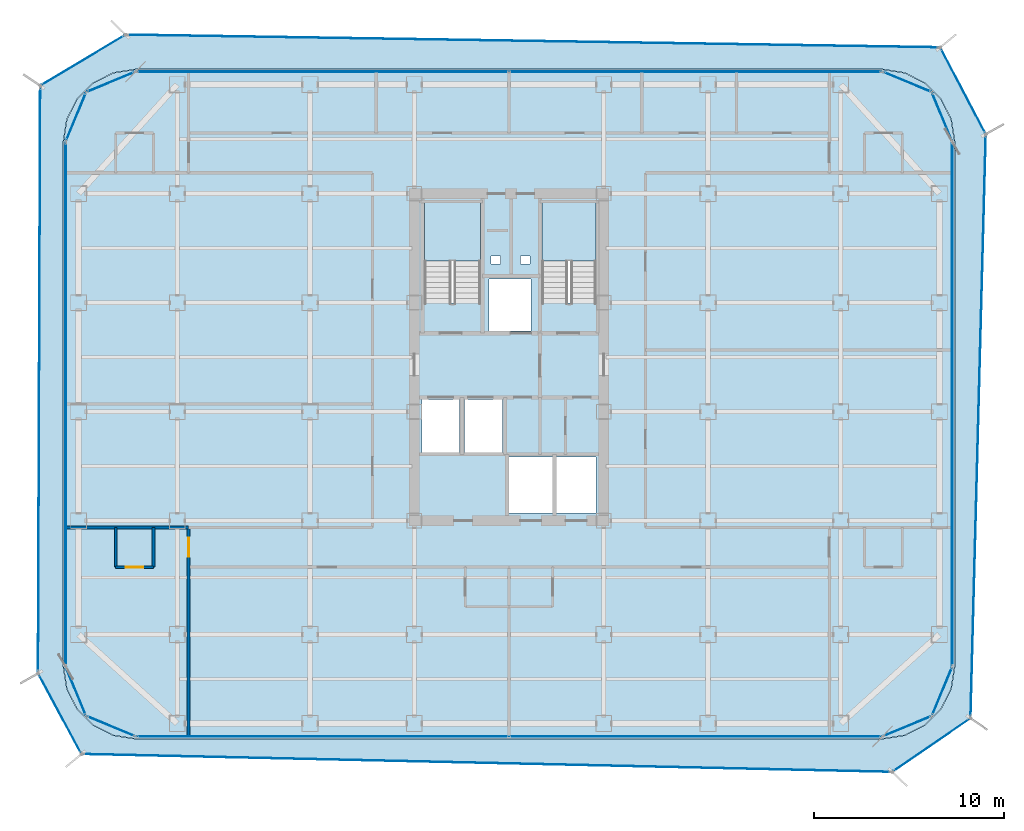
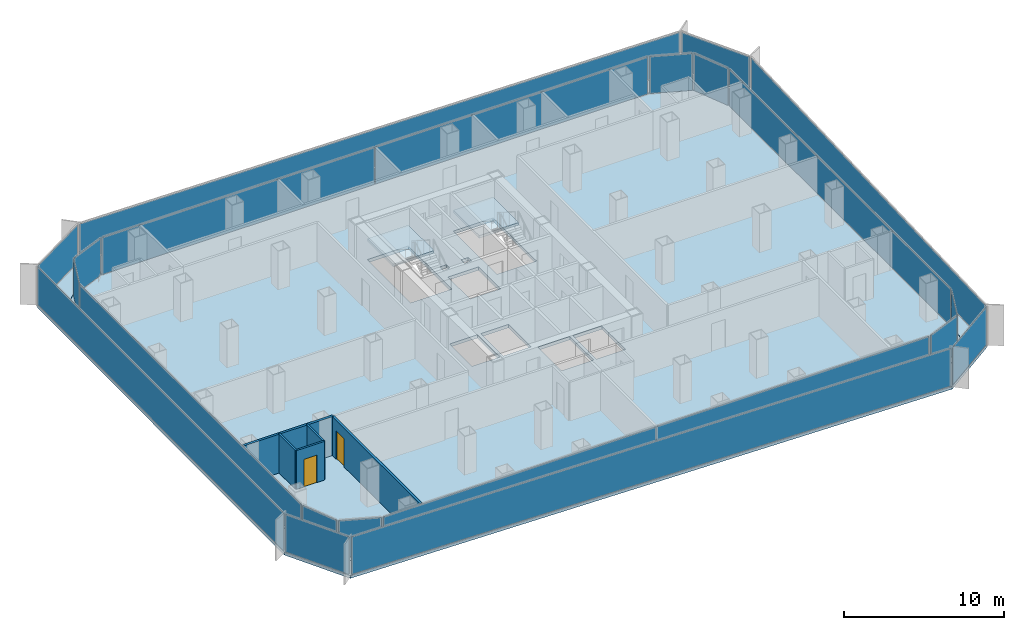
# One storey, part 15 of 21: 22 plates, 5 walls, 4 slabs, 2 doors, 2 openings, 22 elements without a shape of their own.
"""IFC4 building model written with IfcOpenShell, lengths in metres."""

from ifc_helpers import new_model, si_unit, direction, frame, frame_2d, origin, origin_2d, place, context, subcontext, project, spatial, polyline, rectangle, outline, extrude, source, transform, mapped, material, layer, layer_set, type_object, element, fill, aggregate, save


model = new_model("IFC4")

# Units and contexts
model_context = context("Model", 3, precision=1e-05, world=origin(), true_north=direction((0.0, 1.0)))
body_context = subcontext(model_context, "Body", "Model", "MODEL_VIEW")
ifc_project = project(units=[si_unit("LENGTHUNIT", "METRE"), si_unit("AREAUNIT", "SQUARE_METRE"), si_unit("VOLUMEUNIT", "CUBIC_METRE"), si_unit("PLANEANGLEUNIT", "RADIAN"), si_unit("MASSUNIT", "GRAM", prefix="KILO")], contexts=[model_context])

# Site, building, storey
site_placement = place(None, origin())
site = spatial("IfcSite", under=ifc_project, at=site_placement, CompositionType="ELEMENT")
building_placement = place(site_placement, origin())
building = spatial("IfcBuilding", under=site, at=building_placement, Name="Kolveth Station Tower", CompositionType="ELEMENT")
storey_placement = place(building_placement, frame((0.0, 0.0, 134.300048828125)))
storey = spatial("IfcBuildingStorey", under=building, at=storey_placement, Name="L37", CompositionType="ELEMENT", Elevation=134.300048828125)

# Slab
ifc_material_1 = material(Name="Concrete C40/50", Category="concrete")
ifc_layer_1 = layer(ifc_material_1, 0.25)
ifc_layer_set_1 = layer_set([ifc_layer_1], Name="Concrete C40/50")
slab_type_1 = type_object("IfcSlabType", Name="Slab_SF-250", PredefinedType="FLOOR", material=ifc_layer_set_1)
slab_1_placement = place(storey_placement, frame((0.0, 0.0, -0.25)))
element("IfcSlab", 1, at=slab_1_placement, inside=storey, type_object=slab_type_1, Name="L37 Tower Structural Floor Slab", PredefinedType="FLOOR", context=body_context, shape_type="SweptSolid", body=[
    extrude(outline(polyline([(43.199951171875, 0.0), (44.374267578125, 0.18603515625), (45.43359375, 0.7255859375), (46.2744140625, 1.56640625), (46.81396484375, 2.625732421875), (47.0, 3.800048828125), (47.0, 31.5), (46.81396484375, 32.67431640625), (46.2744140625, 33.733642578125), (45.43359375, 34.57421875), (44.374267578125, 35.114013671875), (43.199951171875, 35.300048828125), (3.800048828125, 35.300048828125), (2.625732421875, 35.114013671875), (1.56640625, 34.57421875), (0.7255859375, 33.733642578125), (0.18603515625, 32.67431640625), (0.0, 31.5), (0.0, 3.800048828125), (0.18603515625, 2.625732421875), (0.7255859375, 1.56640625), (1.56640625, 0.7255859375), (2.625732421875, 0.18603515625), (3.800048828125, 0.0), (43.199951171875, 0.0)]), holes=[polyline([(19.0400390625, 22.985107421875), (22.0, 22.985107421875), (22.0, 28.39990234375), (19.0400390625, 28.39990234375), (19.0400390625, 22.985107421875)]), polyline([(25.239990234375, 22.985107421875), (28.10009765625, 22.985107421875), (28.10009765625, 28.39990234375), (25.239990234375, 28.39990234375), (25.239990234375, 22.985107421875)]), polyline([(18.89990234375, 15.10009765625), (20.89990234375, 15.10009765625), (20.89990234375, 17.89990234375), (18.89990234375, 17.89990234375), (18.89990234375, 15.10009765625)]), polyline([(21.14990234375, 15.10009765625), (23.14990234375, 15.10009765625), (23.14990234375, 17.89990234375), (21.14990234375, 17.89990234375), (21.14990234375, 15.10009765625)]), polyline([(22.449951171875, 21.5), (24.64990234375, 21.5), (24.64990234375, 24.25), (22.449951171875, 24.25), (22.449951171875, 21.5)]), polyline([(23.5, 11.89990234375), (25.800048828125, 11.89990234375), (25.800048828125, 14.85009765625), (23.5, 14.85009765625), (23.5, 11.89990234375)]), polyline([(26.0, 11.89990234375), (28.10009765625, 11.89990234375), (28.10009765625, 14.85009765625), (26.0, 14.85009765625), (26.0, 11.89990234375)]), polyline([(22.550048828125, 25.050048828125), (23.050048828125, 25.050048828125), (23.050048828125, 25.449951171875), (22.550048828125, 25.449951171875), (22.550048828125, 25.050048828125)]), polyline([(24.10009765625, 25.050048828125), (24.60009765625, 25.050048828125), (24.60009765625, 25.449951171875), (24.10009765625, 25.449951171875), (24.10009765625, 25.050048828125)])]), origin(), (0.0, 0.0, 1.0), 0.25),
])

# Stair, slab
stair_type_1 = type_object("IfcStairType", Name="Stair_ST2", PredefinedType="HALF_TURN_STAIR", material=ifc_material_1)
stair_1_placement = place(storey_placement, origin())
stair_1 = element("IfcStair", 2, at=stair_1_placement, inside=storey, type_object=stair_type_1, Name="L37 Tower Exit Stair ST2", PredefinedType="HALF_TURN_STAIR")
ifc_layer_2 = layer(ifc_material_1, 0.18994140625)
ifc_layer_set_2 = layer_set([ifc_layer_2], Name="Concrete C40/50")
slab_type_2 = type_object("IfcSlabType", Name="Slab_SL-190", PredefinedType="LANDING", material=ifc_layer_set_2)
slab_2_placement = place(storey_placement, frame((0.0, 0.0, 1.39990234375)))
slab_2 = element("IfcSlab", 3, at=slab_2_placement, type_object=slab_type_2, Name="ST2 landing 1", PredefinedType="LANDING", context=body_context, shape_type="SweptSolid", body=[
    extrude(outline(polyline([(28.10009765625, 25.18994140625), (28.10009765625, 28.39990234375), (25.239990234375, 28.39990234375), (25.239990234375, 25.18994140625), (28.10009765625, 25.18994140625)])), origin(), (0.0, 0.0, 1.0), 0.199951171875),
])
aggregate(stair_1, [slab_2])

stair_type_2 = type_object("IfcStairType", Name="Stair_ST1", PredefinedType="HALF_TURN_STAIR", material=ifc_material_1)
stair_2_placement = place(storey_placement, origin())
stair_2 = element("IfcStair", 4, at=stair_2_placement, inside=storey, type_object=stair_type_2, Name="L37 Tower Exit Stair ST1", PredefinedType="HALF_TURN_STAIR")
ifc_layer_3 = layer(ifc_material_1, 0.205078125)
ifc_layer_set_3 = layer_set([ifc_layer_3], Name="Concrete C40/50")
slab_type_3 = type_object("IfcSlabType", Name="Slab_SL-205", PredefinedType="LANDING", material=ifc_layer_set_3)
slab_3_placement = place(storey_placement, frame((0.0, 0.0, 1.39990234375)))
slab_3 = element("IfcSlab", 5, at=slab_3_placement, type_object=slab_type_3, Name="ST1 landing 1", PredefinedType="LANDING", context=body_context, shape_type="SweptSolid", body=[
    extrude(outline(polyline([(22.0, 25.18994140625), (22.0, 28.39990234375), (19.0400390625, 28.39990234375), (19.0400390625, 25.18994140625), (22.0, 25.18994140625)])), origin(), (0.0, 0.0, 1.0), 0.199951171875),
])
aggregate(stair_2, [slab_3])

# Slab
ifc_layer_4 = layer(ifc_material_1, 0.2099609375)
ifc_layer_set_4 = layer_set([ifc_layer_4], Name="Concrete C40/50")
slab_type_4 = type_object("IfcSlabType", Name="Slab_ST-210", PredefinedType="FLOOR", material=ifc_layer_set_4)
slab_4_placement = place(storey_placement, frame((0.0, 0.0, -0.2099609375)))
element("IfcSlab", 6, at=slab_4_placement, inside=storey, type_object=slab_type_4, Name="L37 Double-Skin Cavity Structural Ledger Ring", PredefinedType="FLOOR", context=body_context, shape_type="SweptSolid", body=[
    extrude(outline(polyline([(0.95556640625, -0.808837890625), (-1.33740234375, 3.4521484375), (-1.22314453125, 34.43798828125), (3.27587890625, 37.131103515625), (46.247314453125, 36.46435546875), (48.64990234375, 31.887451171875), (47.84521484375, 1.07958984375), (43.71435546875, -1.75341796875), (0.95556640625, -0.808837890625)]), holes=[polyline([(43.202392578125, -0.014892578125), (44.376708984375, 0.171142578125), (44.381103515625, 0.172607421875), (45.4404296875, 0.71240234375), (45.444091796875, 0.715087890625), (46.284912109375, 1.555908203125), (46.28759765625, 1.5595703125), (46.827392578125, 2.618896484375), (46.828857421875, 2.623291015625), (47.014892578125, 3.797607421875), (47.014892578125, 3.800048828125), (47.014892578125, 31.5), (47.014892578125, 31.502197265625), (46.828857421875, 32.676513671875), (46.827392578125, 32.68115234375), (46.28759765625, 33.740478515625), (46.284912109375, 33.744140625), (45.444091796875, 34.5849609375), (45.4404296875, 34.587646484375), (44.381103515625, 35.12744140625), (44.376708984375, 35.12890625), (43.202392578125, 35.314697265625), (43.199951171875, 35.31494140625), (3.800048828125, 35.31494140625), (3.797607421875, 35.314697265625), (2.623291015625, 35.12890625), (2.618896484375, 35.12744140625), (1.5595703125, 34.587646484375), (1.555908203125, 34.5849609375), (0.715087890625, 33.744140625), (0.71240234375, 33.740478515625), (0.172607421875, 32.68115234375), (0.171142578125, 32.676513671875), (-0.014892578125, 31.502197265625), (-0.014892578125, 31.5), (-0.014892578125, 3.800048828125), (-0.014892578125, 3.797607421875), (0.171142578125, 2.623291015625), (0.172607421875, 2.618896484375), (0.71240234375, 1.5595703125), (0.715087890625, 1.555908203125), (1.555908203125, 0.715087890625), (1.5595703125, 0.71240234375), (2.618896484375, 0.172607421875), (2.623291015625, 0.171142578125), (3.797607421875, -0.014892578125), (3.800048828125, -0.014892578125), (43.199951171875, -0.014892578125), (43.202392578125, -0.014892578125)])]), origin(), (0.0, 0.0, 1.0), 0.2099609375),
])

# Curtain wall, plate
ifc_material_2 = material(Name="Aluminium 6063-T6 and low-E dark glass", Category="aluminium")
ifc_layer_5 = layer(ifc_material_2, 0.18994140625)
ifc_layer_set_5 = layer_set([ifc_layer_5], Name="Aluminium 6063-T6 and low-E dark glass")
curtain_wall_type_1 = type_object("IfcCurtainWallType", Name="CurtainWall_CW-Z2", PredefinedType="NOTDEFINED", material=ifc_layer_set_5)
curtain_wall_1_placement = place(storey_placement, origin())
curtain_wall_1 = element("IfcCurtainWall", 7, at=curtain_wall_1_placement, inside=storey, type_object=curtain_wall_type_1, Name="L37 Inner Thermal Curtain Wall 1", PredefinedType="NOTDEFINED")
ifc_material_3 = material(Name="Architectural low-E dark glass", Category="glass")
ifc_layer_6 = layer(ifc_material_3, 0.0380859375)
ifc_layer_set_6 = layer_set([ifc_layer_6], Name="Architectural low-E dark glass")
plate_type_1 = type_object("IfcPlateType", Name="Panel_GL2", PredefinedType="CURTAIN_PANEL", material=ifc_layer_set_6)
shared_shape_1 = source(origin(), body_context, "Body", "SweptSolid", [
    extrude(rectangle(XDim=2.670654296875, YDim=0.0380859375, at=origin_2d()), origin(), (0.0, 0.0, 1.0), 2.803955078125),
])
plate_1_placement = place(storey_placement, frame((44.501220703125, 0.658935546875, 0.07275390625), z_axis=(0.0, 0.0, 1.0), x_axis=(0.923887883787, 0.38266326998, 0.0)))
plate_1 = element("IfcPlate", 8, at=plate_1_placement, type_object=plate_type_1, Name="CW-Z2 panel 1.1", PredefinedType="CURTAIN_PANEL", context=body_context, shape_type="MappedRepresentation", body=[
    mapped(shared_shape_1, transform((0.0, 0.0, 0.0), x_axis=(1.0, 0.0, 0.0), y_axis=(0.0, 1.0, 0.0), z_axis=(0.0, 0.0, 1.0), scale=1.0)),
])
aggregate(curtain_wall_1, [plate_1])

curtain_wall_2_placement = place(storey_placement, origin())
curtain_wall_2 = element("IfcCurtainWall", 9, at=curtain_wall_2_placement, inside=storey, type_object=curtain_wall_type_1, Name="L37 Inner Thermal Curtain Wall 2", PredefinedType="NOTDEFINED")
plate_2_placement = place(storey_placement, frame((46.341064453125, 2.498779296875, 0.07275390625), z_axis=(0.0, 0.0, 1.0), x_axis=(0.38266326998, 0.923887883787, 0.0)))
plate_2 = element("IfcPlate", 10, at=plate_2_placement, type_object=plate_type_1, Name="CW-Z2 panel 1.1", PredefinedType="CURTAIN_PANEL", context=body_context, shape_type="MappedRepresentation", body=[
    mapped(shared_shape_1, transform((0.0, 0.0, 0.0), x_axis=(1.0, 0.0, 0.0), y_axis=(0.0, 1.0, 0.0), z_axis=(0.0, 0.0, 1.0), scale=1.0)),
])
aggregate(curtain_wall_2, [plate_2])

curtain_wall_3_placement = place(storey_placement, origin())
curtain_wall_3 = element("IfcCurtainWall", 11, at=curtain_wall_3_placement, inside=storey, type_object=curtain_wall_type_1, Name="L37 Inner Thermal Curtain Wall 4", PredefinedType="NOTDEFINED")
plate_3_placement = place(storey_placement, frame((46.341064453125, 32.801025390625, 0.07275390625), z_axis=(0.0, 0.0, 1.0), x_axis=(-0.38266326998, 0.923887883787, 0.0)))
plate_3 = element("IfcPlate", 12, at=plate_3_placement, type_object=plate_type_1, Name="CW-Z2 panel 1.1", PredefinedType="CURTAIN_PANEL", context=body_context, shape_type="MappedRepresentation", body=[
    mapped(shared_shape_1, transform((0.0, 0.0, 0.0), x_axis=(1.0, 0.0, 0.0), y_axis=(0.0, 1.0, 0.0), z_axis=(0.0, 0.0, 1.0), scale=1.0)),
])
aggregate(curtain_wall_3, [plate_3])

curtain_wall_4_placement = place(storey_placement, origin())
curtain_wall_4 = element("IfcCurtainWall", 13, at=curtain_wall_4_placement, inside=storey, type_object=curtain_wall_type_1, Name="L37 Inner Thermal Curtain Wall 5", PredefinedType="NOTDEFINED")
plate_4_placement = place(storey_placement, frame((44.501220703125, 34.64111328125, 0.07275390625), z_axis=(0.0, 0.0, 1.0), x_axis=(-0.923887883787, 0.38266326998, 0.0)))
plate_4 = element("IfcPlate", 14, at=plate_4_placement, type_object=plate_type_1, Name="CW-Z2 panel 1.1", PredefinedType="CURTAIN_PANEL", context=body_context, shape_type="MappedRepresentation", body=[
    mapped(shared_shape_1, transform((0.0, 0.0, 0.0), x_axis=(1.0, 0.0, 0.0), y_axis=(0.0, 1.0, 0.0), z_axis=(0.0, 0.0, 1.0), scale=1.0)),
])
aggregate(curtain_wall_4, [plate_4])

curtain_wall_5_placement = place(storey_placement, origin())
curtain_wall_5 = element("IfcCurtainWall", 15, at=curtain_wall_5_placement, inside=storey, type_object=curtain_wall_type_1, Name="L37 Inner Thermal Curtain Wall 7", PredefinedType="NOTDEFINED")
plate_5_placement = place(storey_placement, frame((2.498779296875, 34.64111328125, 0.07275390625), z_axis=(0.0, 0.0, 1.0), x_axis=(-0.923887883787, -0.38266326998, 0.0)))
plate_5 = element("IfcPlate", 16, at=plate_5_placement, type_object=plate_type_1, Name="CW-Z2 panel 1.1", PredefinedType="CURTAIN_PANEL", context=body_context, shape_type="MappedRepresentation", body=[
    mapped(shared_shape_1, transform((0.0, 0.0, 0.0), x_axis=(1.0, 0.0, 0.0), y_axis=(0.0, 1.0, 0.0), z_axis=(0.0, 0.0, 1.0), scale=1.0)),
])
aggregate(curtain_wall_5, [plate_5])

curtain_wall_6_placement = place(storey_placement, origin())
curtain_wall_6 = element("IfcCurtainWall", 17, at=curtain_wall_6_placement, inside=storey, type_object=curtain_wall_type_1, Name="L37 Inner Thermal Curtain Wall 8", PredefinedType="NOTDEFINED")
plate_6_placement = place(storey_placement, frame((0.658935546875, 32.801025390625, 0.07275390625), z_axis=(0.0, 0.0, 1.0), x_axis=(-0.38266326998, -0.923887883787, 0.0)))
plate_6 = element("IfcPlate", 18, at=plate_6_placement, type_object=plate_type_1, Name="CW-Z2 panel 1.1", PredefinedType="CURTAIN_PANEL", context=body_context, shape_type="MappedRepresentation", body=[
    mapped(shared_shape_1, transform((0.0, 0.0, 0.0), x_axis=(1.0, 0.0, 0.0), y_axis=(0.0, 1.0, 0.0), z_axis=(0.0, 0.0, 1.0), scale=1.0)),
])
aggregate(curtain_wall_6, [plate_6])

curtain_wall_7_placement = place(storey_placement, origin())
curtain_wall_7 = element("IfcCurtainWall", 19, at=curtain_wall_7_placement, inside=storey, type_object=curtain_wall_type_1, Name="L37 Inner Thermal Curtain Wall 10", PredefinedType="NOTDEFINED")
plate_7_placement = place(storey_placement, frame((0.658935546875, 2.498779296875, 0.07275390625), z_axis=(0.0, 0.0, 1.0), x_axis=(0.38266326998, -0.923887883787, 0.0)))
plate_7 = element("IfcPlate", 20, at=plate_7_placement, type_object=plate_type_1, Name="CW-Z2 panel 1.1", PredefinedType="CURTAIN_PANEL", context=body_context, shape_type="MappedRepresentation", body=[
    mapped(shared_shape_1, transform((0.0, 0.0, 0.0), x_axis=(1.0, 0.0, 0.0), y_axis=(0.0, 1.0, 0.0), z_axis=(0.0, 0.0, 1.0), scale=1.0)),
])
aggregate(curtain_wall_7, [plate_7])

curtain_wall_8_placement = place(storey_placement, origin())
curtain_wall_8 = element("IfcCurtainWall", 21, at=curtain_wall_8_placement, inside=storey, type_object=curtain_wall_type_1, Name="L37 Inner Thermal Curtain Wall 11", PredefinedType="NOTDEFINED")
plate_8_placement = place(storey_placement, frame((2.498779296875, 0.658935546875, 0.07275390625), z_axis=(0.0, 0.0, 1.0), x_axis=(0.923887883787, -0.38266326998, 0.0)))
plate_8 = element("IfcPlate", 22, at=plate_8_placement, type_object=plate_type_1, Name="CW-Z2 panel 1.1", PredefinedType="CURTAIN_PANEL", context=body_context, shape_type="MappedRepresentation", body=[
    mapped(shared_shape_1, transform((0.0, 0.0, 0.0), x_axis=(1.0, 0.0, 0.0), y_axis=(0.0, 1.0, 0.0), z_axis=(0.0, 0.0, 1.0), scale=1.0)),
])
aggregate(curtain_wall_8, [plate_8])

curtain_wall_9_placement = place(storey_placement, origin())
curtain_wall_9 = element("IfcCurtainWall", 23, at=curtain_wall_9_placement, inside=storey, type_object=curtain_wall_type_1, Name="L37 Inner Thermal Curtain Wall 3", PredefinedType="NOTDEFINED")
shared_shape_2 = source(origin(), body_context, "Body", "SweptSolid", [
    extrude(rectangle(XDim=27.553955078125, YDim=0.0380859375, at=origin_2d()), origin(), (0.0, 0.0, 1.0), 2.803955078125),
])
plate_9_placement = place(storey_placement, frame((46.8798828125, 17.64990234375, 0.07275390625), z_axis=(0.0, 0.0, 1.0), x_axis=(0.0, 1.0, 0.0)))
plate_9 = element("IfcPlate", 24, at=plate_9_placement, type_object=plate_type_1, Name="CW-Z2 panel 1.1", PredefinedType="CURTAIN_PANEL", context=body_context, shape_type="MappedRepresentation", body=[
    mapped(shared_shape_2, transform((0.0, 0.0, 0.0), x_axis=(1.0, 0.0, 0.0), y_axis=(0.0, 1.0, 0.0), z_axis=(0.0, 0.0, 1.0), scale=1.0)),
])
aggregate(curtain_wall_9, [plate_9])

curtain_wall_10_placement = place(storey_placement, origin())
curtain_wall_10 = element("IfcCurtainWall", 25, at=curtain_wall_10_placement, inside=storey, type_object=curtain_wall_type_1, Name="L37 Inner Thermal Curtain Wall 9", PredefinedType="NOTDEFINED")
plate_10_placement = place(storey_placement, frame((0.1201171875, 17.64990234375, 0.07275390625), z_axis=(0.0, 0.0, 1.0), x_axis=(0.0, -1.0, 0.0)))
plate_10 = element("IfcPlate", 26, at=plate_10_placement, type_object=plate_type_1, Name="CW-Z2 panel 1.1", PredefinedType="CURTAIN_PANEL", context=body_context, shape_type="MappedRepresentation", body=[
    mapped(shared_shape_2, transform((0.0, 0.0, 0.0), x_axis=(1.0, 0.0, 0.0), y_axis=(0.0, 1.0, 0.0), z_axis=(0.0, 0.0, 1.0), scale=1.0)),
])
aggregate(curtain_wall_10, [plate_10])

# Curtain wall, plates
curtain_wall_11_placement = place(storey_placement, origin())
curtain_wall_11 = element("IfcCurtainWall", 27, at=curtain_wall_11_placement, inside=storey, type_object=curtain_wall_type_1, Name="L37 Inner Thermal Curtain Wall 6", PredefinedType="NOTDEFINED")
shared_shape_3 = source(origin(), body_context, "Body", "SweptSolid", [
    extrude(rectangle(XDim=19.593994140625, YDim=0.0380859375, at=origin_2d()), origin(), (0.0, 0.0, 1.0), 2.803955078125),
])
plate_11_placement = place(storey_placement, frame((33.330078125, 35.179931640625, 0.07275390625), z_axis=(0.0, 0.0, 1.0), x_axis=(-1.0, 0.0, 0.0)))
plate_11 = element("IfcPlate", 28, at=plate_11_placement, type_object=plate_type_1, Name="CW-Z2 panel 1.1", PredefinedType="CURTAIN_PANEL", context=body_context, shape_type="MappedRepresentation", body=[
    mapped(shared_shape_3, transform((0.0, 0.0, 0.0), x_axis=(1.0, 0.0, 0.0), y_axis=(0.0, 1.0, 0.0), z_axis=(0.0, 0.0, 1.0), scale=1.0)),
])
plate_12_placement = place(storey_placement, frame((13.669921875, 35.179931640625, 0.07275390625), z_axis=(0.0, 0.0, 1.0), x_axis=(-1.0, 0.0, 0.0)))
plate_12 = element("IfcPlate", 29, at=plate_12_placement, type_object=plate_type_1, Name="CW-Z2 panel 2.1", PredefinedType="CURTAIN_PANEL", context=body_context, shape_type="MappedRepresentation", body=[
    mapped(shared_shape_3, transform((0.0, 0.0, 0.0), x_axis=(1.0, 0.0, 0.0), y_axis=(0.0, 1.0, 0.0), z_axis=(0.0, 0.0, 1.0), scale=1.0)),
])
aggregate(curtain_wall_11, [plate_11, plate_12])

curtain_wall_12_placement = place(storey_placement, origin())
curtain_wall_12 = element("IfcCurtainWall", 30, at=curtain_wall_12_placement, inside=storey, type_object=curtain_wall_type_1, Name="L37 Inner Thermal Curtain Wall 12", PredefinedType="NOTDEFINED")
plate_13_placement = place(storey_placement, frame((13.669921875, 0.1201171875, 0.07275390625), z_axis=(0.0, 0.0, 1.0), x_axis=(1.0, 0.0, 0.0)))
plate_13 = element("IfcPlate", 31, at=plate_13_placement, type_object=plate_type_1, Name="CW-Z2 panel 1.1", PredefinedType="CURTAIN_PANEL", context=body_context, shape_type="MappedRepresentation", body=[
    mapped(shared_shape_3, transform((0.0, 0.0, 0.0), x_axis=(1.0, 0.0, 0.0), y_axis=(0.0, 1.0, 0.0), z_axis=(0.0, 0.0, 1.0), scale=1.0)),
])
plate_14_placement = place(storey_placement, frame((33.330078125, 0.1201171875, 0.07275390625), z_axis=(0.0, 0.0, 1.0), x_axis=(1.0, 0.0, 0.0)))
plate_14 = element("IfcPlate", 32, at=plate_14_placement, type_object=plate_type_1, Name="CW-Z2 panel 2.1", PredefinedType="CURTAIN_PANEL", context=body_context, shape_type="MappedRepresentation", body=[
    mapped(shared_shape_3, transform((0.0, 0.0, 0.0), x_axis=(1.0, 0.0, 0.0), y_axis=(0.0, 1.0, 0.0), z_axis=(0.0, 0.0, 1.0), scale=1.0)),
])
aggregate(curtain_wall_12, [plate_13, plate_14])

# Curtain wall, plate
ifc_material_4 = material(Name="Black anodized aluminium 6063-T6 and dark solar glass", Category="aluminium")
ifc_layer_7 = layer(ifc_material_4, 0.159912109375)
ifc_layer_set_7 = layer_set([ifc_layer_7], Name="Black anodized aluminium 6063-T6 and dark solar glass")
curtain_wall_type_2 = type_object("IfcCurtainWallType", Name="OUTER SKIN CW-OS", PredefinedType="NOTDEFINED", material=ifc_layer_set_7)
curtain_wall_13_placement = place(storey_placement, origin())
curtain_wall_13 = element("IfcCurtainWall", 33, at=curtain_wall_13_placement, inside=storey, type_object=curtain_wall_type_2, Name="L37 Outer Ventilated Skin Curtain Wall 5", PredefinedType="NOTDEFINED")
ifc_layer_8 = layer(ifc_material_3, 0.028076171875)
ifc_layer_set_8 = layer_set([ifc_layer_8], Name="Architectural low-E dark glass")
plate_type_2 = type_object("IfcPlateType", Name="Panel_GL-OS", PredefinedType="CURTAIN_PANEL", material=ifc_layer_set_8)
shared_shape_4 = source(origin(), body_context, "Body", "SweptSolid", [
    extrude(rectangle(XDim=5.077392578125, YDim=0.028076171875, at=origin_2d()), origin(), (0.0, 0.0, 1.0), 2.843994140625),
])
plate_15_placement = place(storey_placement, frame((1.0263671875, 35.784423828125, 0.07275390625), z_axis=(0.0, 0.0, 1.0), x_axis=(-0.858030948061, -0.513597986922, 0.0)))
plate_15 = element("IfcPlate", 34, at=plate_15_placement, type_object=plate_type_2, Name="CW-OS panel 1.1", PredefinedType="CURTAIN_PANEL", context=body_context, shape_type="MappedRepresentation", body=[
    mapped(shared_shape_4, transform((0.0, 0.0, 0.0), x_axis=(1.0, 0.0, 0.0), y_axis=(0.0, 1.0, 0.0), z_axis=(0.0, 0.0, 1.0), scale=1.0)),
])
aggregate(curtain_wall_13, [plate_15])

curtain_wall_14_placement = place(storey_placement, origin())
curtain_wall_14 = element("IfcCurtainWall", 35, at=curtain_wall_14_placement, inside=storey, type_object=curtain_wall_type_2, Name="L37 Outer Ventilated Skin Curtain Wall 1", PredefinedType="NOTDEFINED")
shared_shape_5 = source(origin(), body_context, "Body", "SweptSolid", [
    extrude(rectangle(XDim=4.8427734375, YDim=0.028076171875, at=origin_2d()), origin(), (0.0, 0.0, 1.0), 2.843994140625),
])
plate_16_placement = place(storey_placement, frame((45.77978515625, -0.3369140625, 0.07275390625), z_axis=(0.0, 0.0, 1.0), x_axis=(0.824680428132, 0.565598966987, 0.0)))
plate_16 = element("IfcPlate", 36, at=plate_16_placement, type_object=plate_type_2, Name="CW-OS panel 1.1", PredefinedType="CURTAIN_PANEL", context=body_context, shape_type="MappedRepresentation", body=[
    mapped(shared_shape_5, transform((0.0, 0.0, 0.0), x_axis=(1.0, 0.0, 0.0), y_axis=(0.0, 1.0, 0.0), z_axis=(0.0, 0.0, 1.0), scale=1.0)),
])
aggregate(curtain_wall_14, [plate_16])

curtain_wall_15_placement = place(storey_placement, origin())
curtain_wall_15 = element("IfcCurtainWall", 37, at=curtain_wall_15_placement, inside=storey, type_object=curtain_wall_type_2, Name="L37 Outer Ventilated Skin Curtain Wall 2", PredefinedType="NOTDEFINED")
shared_shape_6 = source(origin(), body_context, "Body", "SweptSolid", [
    extrude(rectangle(XDim=30.652099609375, YDim=0.028076171875, at=origin_2d()), origin(), (0.0, 0.0, 1.0), 2.843994140625),
])
plate_17_placement = place(storey_placement, frame((48.24755859375, 16.483642578125, 0.07275390625), z_axis=(0.0, 0.0, 1.0), x_axis=(0.026117672817, 0.9996588754, 0.0)))
plate_17 = element("IfcPlate", 38, at=plate_17_placement, type_object=plate_type_2, Name="CW-OS panel 1.1", PredefinedType="CURTAIN_PANEL", context=body_context, shape_type="MappedRepresentation", body=[
    mapped(shared_shape_6, transform((0.0, 0.0, 0.0), x_axis=(1.0, 0.0, 0.0), y_axis=(0.0, 1.0, 0.0), z_axis=(0.0, 0.0, 1.0), scale=1.0)),
])
aggregate(curtain_wall_15, [plate_17])

curtain_wall_16_placement = place(storey_placement, origin())
curtain_wall_16 = element("IfcCurtainWall", 39, at=curtain_wall_16_placement, inside=storey, type_object=curtain_wall_type_2, Name="L37 Outer Ventilated Skin Curtain Wall 3", PredefinedType="NOTDEFINED")
shared_shape_7 = source(origin(), body_context, "Body", "SweptSolid", [
    extrude(rectangle(XDim=5.003173828125, YDim=0.028076171875, at=origin_2d()), origin(), (0.0, 0.0, 1.0), 2.843994140625),
])
plate_18_placement = place(storey_placement, frame((47.44873046875, 34.17578125, 0.07275390625), z_axis=(0.0, 0.0, 1.0), x_axis=(-0.464807738651, 0.885411636523, 0.0)))
plate_18 = element("IfcPlate", 40, at=plate_18_placement, type_object=plate_type_2, Name="CW-OS panel 1.1", PredefinedType="CURTAIN_PANEL", context=body_context, shape_type="MappedRepresentation", body=[
    mapped(shared_shape_7, transform((0.0, 0.0, 0.0), x_axis=(1.0, 0.0, 0.0), y_axis=(0.0, 1.0, 0.0), z_axis=(0.0, 0.0, 1.0), scale=1.0)),
])
aggregate(curtain_wall_16, [plate_18])

curtain_wall_17_placement = place(storey_placement, origin())
curtain_wall_17 = element("IfcCurtainWall", 41, at=curtain_wall_17_placement, inside=storey, type_object=curtain_wall_type_2, Name="L37 Outer Ventilated Skin Curtain Wall 4", PredefinedType="NOTDEFINED")
shared_shape_8 = source(origin(), body_context, "Body", "SweptSolid", [
    extrude(rectangle(XDim=42.810546875, YDim=0.028076171875, at=origin_2d()), origin(), (0.0, 0.0, 1.0), 2.843994140625),
])
plate_19_placement = place(storey_placement, frame((24.76171875, 36.797607421875, 0.07275390625), z_axis=(0.0, 0.0, 1.0), x_axis=(-0.999879664571, 0.015513103427, 0.0)))
plate_19 = element("IfcPlate", 42, at=plate_19_placement, type_object=plate_type_2, Name="CW-OS panel 1.1", PredefinedType="CURTAIN_PANEL", context=body_context, shape_type="MappedRepresentation", body=[
    mapped(shared_shape_8, transform((0.0, 0.0, 0.0), x_axis=(1.0, 0.0, 0.0), y_axis=(0.0, 1.0, 0.0), z_axis=(0.0, 0.0, 1.0), scale=1.0)),
])
aggregate(curtain_wall_17, [plate_19])

curtain_wall_18_placement = place(storey_placement, origin())
curtain_wall_18 = element("IfcCurtainWall", 43, at=curtain_wall_18_placement, inside=storey, type_object=curtain_wall_type_2, Name="L37 Outer Ventilated Skin Curtain Wall 6", PredefinedType="NOTDEFINED")
shared_shape_9 = source(origin(), body_context, "Body", "SweptSolid", [
    extrude(rectangle(XDim=30.820068359375, YDim=0.028076171875, at=origin_2d()), origin(), (0.0, 0.0, 1.0), 2.843994140625),
])
plate_20_placement = place(storey_placement, frame((-1.2802734375, 18.945068359375, 0.07275390625), z_axis=(0.0, 0.0, 1.0), x_axis=(-0.003685522263, -0.99999320844, 0.0)))
plate_20 = element("IfcPlate", 44, at=plate_20_placement, type_object=plate_type_2, Name="CW-OS panel 1.1", PredefinedType="CURTAIN_PANEL", context=body_context, shape_type="MappedRepresentation", body=[
    mapped(shared_shape_9, transform((0.0, 0.0, 0.0), x_axis=(1.0, 0.0, 0.0), y_axis=(0.0, 1.0, 0.0), z_axis=(0.0, 0.0, 1.0), scale=1.0)),
])
aggregate(curtain_wall_18, [plate_20])

curtain_wall_19_placement = place(storey_placement, origin())
curtain_wall_19 = element("IfcCurtainWall", 45, at=curtain_wall_19_placement, inside=storey, type_object=curtain_wall_type_2, Name="L37 Outer Ventilated Skin Curtain Wall 7", PredefinedType="NOTDEFINED")
shared_shape_10 = source(origin(), body_context, "Body", "SweptSolid", [
    extrude(rectangle(XDim=4.672607421875, YDim=0.028076171875, at=origin_2d()), origin(), (0.0, 0.0, 1.0), 2.843994140625),
])
plate_21_placement = place(storey_placement, frame((-0.19091796875, 1.321533203125, 0.07275390625), z_axis=(0.0, 0.0, 1.0), x_axis=(0.473854549104, -0.880603126439, 0.0)))
plate_21 = element("IfcPlate", 46, at=plate_21_placement, type_object=plate_type_2, Name="CW-OS panel 1.1", PredefinedType="CURTAIN_PANEL", context=body_context, shape_type="MappedRepresentation", body=[
    mapped(shared_shape_10, transform((0.0, 0.0, 0.0), x_axis=(1.0, 0.0, 0.0), y_axis=(0.0, 1.0, 0.0), z_axis=(0.0, 0.0, 1.0), scale=1.0)),
])
aggregate(curtain_wall_19, [plate_21])

curtain_wall_20_placement = place(storey_placement, origin())
curtain_wall_20 = element("IfcCurtainWall", 47, at=curtain_wall_20_placement, inside=storey, type_object=curtain_wall_type_2, Name="L37 Outer Ventilated Skin Curtain Wall 8", PredefinedType="NOTDEFINED")
shared_shape_11 = source(origin(), body_context, "Body", "SweptSolid", [
    extrude(rectangle(XDim=42.603271484375, YDim=0.028076171875, at=origin_2d()), origin(), (0.0, 0.0, 1.0), 2.843994140625),
])
plate_22_placement = place(storey_placement, frame((22.3349609375, -1.281005859375, 0.07275390625), z_axis=(0.0, 0.0, 1.0), x_axis=(0.999756127972, -0.022083581739, 0.0)))
plate_22 = element("IfcPlate", 48, at=plate_22_placement, type_object=plate_type_2, Name="CW-OS panel 1.1", PredefinedType="CURTAIN_PANEL", context=body_context, shape_type="MappedRepresentation", body=[
    mapped(shared_shape_11, transform((0.0, 0.0, 0.0), x_axis=(1.0, 0.0, 0.0), y_axis=(0.0, 1.0, 0.0), z_axis=(0.0, 0.0, 1.0), scale=1.0)),
])
aggregate(curtain_wall_20, [plate_22])

# Walls
ifc_material_5 = material(Name="Moisture-resistant gypsum partition")
ifc_layer_9 = layer(ifc_material_5, 0.135009765625)
ifc_layer_set_9 = layer_set([ifc_layer_9], Name="Moisture-resistant gypsum partition")
wall_type_1 = type_object("IfcWallType", Name="Wall_IW-135", PredefinedType="PARTITIONING", material=ifc_layer_set_9)
for number, where, z_axis, x_axis, name in (
    (49, (2.75, 9.050048828125, 0.0), (0.0, 0.0, 1.0), (0.0, 1.0, 0.0), "L37 Partition Wall WL-L37-WS1-BV1"),
    (50, (4.75, 9.050048828125, 0.0), (0.0, 0.0, 1.0), (0.0, 1.0, 0.0), "L37 Partition Wall WL-L37-WS1-BV2"),
):
    element("IfcWall", number, at=place(storey_placement, frame(where, z_axis=z_axis, x_axis=x_axis)), inside=storey, type_object=wall_type_1, Name=name, PredefinedType="PARTITIONING", context=body_context, shape_type="SweptSolid", body=[
        extrude(rectangle(XDim=2.099853515625, YDim=0.135009765625, at=frame_2d((1.0498046875, 0.0))), origin(), (0.0, 0.0, 1.0), 2.949951171875),
    ])

# Wall, opening, door
wall_1_placement = place(storey_placement, frame((2.75, 9.050048828125, 0.0), z_axis=(0.0, 0.0, 1.0), x_axis=(1.0, 0.0, 0.0)))
wall_1 = element("IfcWall", 51, at=wall_1_placement, inside=storey, type_object=wall_type_1, Name="L37 Partition Wall WL-L37-WS1-BH", PredefinedType="PARTITIONING", context=body_context, shape_type="SweptSolid", body=[
    extrude(rectangle(XDim=2.0, YDim=0.135009765625, at=frame_2d((1.0, 0.0))), origin(), (0.0, 0.0, 1.0), 2.949951171875),
])
opening_1_placement = place(wall_1_placement, frame((0.5400390625, 0.0, 0.0)))
opening_1 = element("IfcOpeningElement", 52, at=opening_1_placement, cuts=wall_1, Name="Opening ID2", PredefinedType="OPENING", context=body_context, shape_type="SweptSolid", body=[
    extrude(rectangle(XDim=0.919921875, YDim=2.10009765625, at=frame_2d((0.4599609375, 1.050048828125))), frame((0.0, 0.077392578125, 0.0), z_axis=(0.0, -1.0, 0.0), x_axis=(1.0, 0.0, 0.0)), (0.0, 0.0, 1.0), 0.155029296875),
])
ifc_material_6 = material(Name="Moisture-resistant hardwood leaf", Category="wood")
door_type_1 = type_object("IfcDoorType", Name="Door_ID2", OperationType="NOTDEFINED", PredefinedType="DOOR", material=ifc_material_6)
door_1_placement = place(opening_1_placement, origin())
door_1 = element("IfcDoor", 53, at=door_1_placement, inside=storey, type_object=door_type_1, Name="L37 Hotel Corner Suite WS1 En-Suite Door", OperationType="SINGLE_SWING_RIGHT", OverallHeight=2.10009765625, OverallWidth=0.919921875, PredefinedType="DOOR", context=body_context, shape_type="SweptSolid", body=[
    extrude(rectangle(XDim=0.919921875, YDim=2.10009765625, at=frame_2d((0.4599609375, 1.050048828125))), frame((0.0, 0.02490234375, 0.0), z_axis=(0.0, -1.0, 0.0), x_axis=(1.0, 0.0, 0.0)), (0.0, 0.0, 1.0), 0.050048828125),
])
fill(opening_1, door_1)

ifc_material_7 = material(Name="Acoustic double-stud gypsum partition")
ifc_layer_10 = layer(ifc_material_7, 0.1650390625)
ifc_layer_set_10 = layer_set([ifc_layer_10], Name="Acoustic double-stud gypsum partition")
wall_type_2 = type_object("IfcWallType", Name="Wall_IW-165", PredefinedType="PARTITIONING", material=ifc_layer_set_10)
wall_2_placement = place(storey_placement, frame((6.60009765625, 0.159912109375, 0.0), z_axis=(0.0, 0.0, 1.0), x_axis=(0.0, 1.0, 0.0)))
wall_2 = element("IfcWall", 54, at=wall_2_placement, inside=storey, type_object=wall_type_2, Name="L37 Partition Wall WL-L37-END-WS", PredefinedType="PARTITIONING", context=body_context, shape_type="SweptSolid", body=[
    extrude(rectangle(XDim=10.989990234375, YDim=0.1650390625, at=frame_2d((5.4951171875, 0.0))), origin(), (0.0, 0.0, 1.0), 2.949951171875),
])
opening_2_placement = place(wall_2_placement, frame((9.43994140625, 0.0, 0.0)))
opening_2 = element("IfcOpeningElement", 55, at=opening_2_placement, cuts=wall_2, Name="Opening FD3", PredefinedType="OPENING", context=body_context, shape_type="SweptSolid", body=[
    extrude(rectangle(XDim=1.0, YDim=2.14990234375, at=frame_2d((0.5, 1.074951171875))), frame((0.0, 0.092529296875, 0.0), z_axis=(0.0, -1.0, 0.0), x_axis=(1.0, 0.0, 0.0)), (0.0, 0.0, 1.0), 0.18505859375),
])
ifc_material_8 = material(Name="Fire-rated hardwood leaf and aluminium frame", Category="wood")
door_type_2 = type_object("IfcDoorType", Name="Door_FD3", OperationType="NOTDEFINED", PredefinedType="DOOR", material=ifc_material_8)
door_2_placement = place(opening_2_placement, origin())
door_2 = element("IfcDoor", 56, at=door_2_placement, inside=storey, type_object=door_type_2, Name="L37 Hotel Corner Suite WS1 Entrance Door", OperationType="SINGLE_SWING_LEFT", OverallHeight=2.14990234375, OverallWidth=1.0, PredefinedType="DOOR", context=body_context, shape_type="SweptSolid", body=[
    extrude(rectangle(XDim=1.0, YDim=2.14990234375, at=frame_2d((0.5, 1.074951171875))), frame((0.0, 0.02490234375, 0.0), z_axis=(0.0, -1.0, 0.0), x_axis=(1.0, 0.0, 0.0)), (0.0, 0.0, 1.0), 0.050048828125),
])
fill(opening_2, door_2)

# Wall
wall_3_placement = place(storey_placement, frame((0.159912109375, 11.14990234375, 0.0), z_axis=(0.0, 0.0, 1.0), x_axis=(1.0, 0.0, 0.0)))
element("IfcWall", 57, at=wall_3_placement, inside=storey, type_object=wall_type_2, Name="L37 Partition Wall WL-L37-WM1", PredefinedType="PARTITIONING", context=body_context, shape_type="SweptSolid", body=[
    extrude(rectangle(XDim=6.440185546875, YDim=0.1650390625, at=frame_2d((3.22021484375, 0.0))), origin(), (0.0, 0.0, 1.0), 2.949951171875),
])

save(model, "model.ifc")
